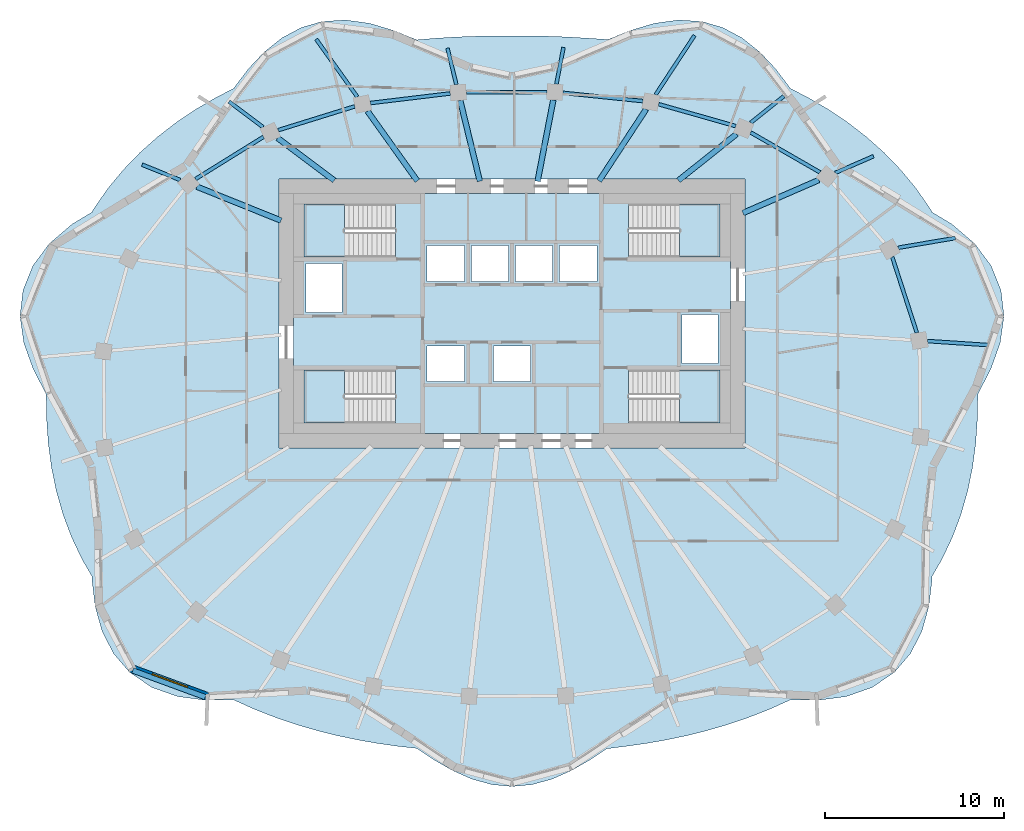
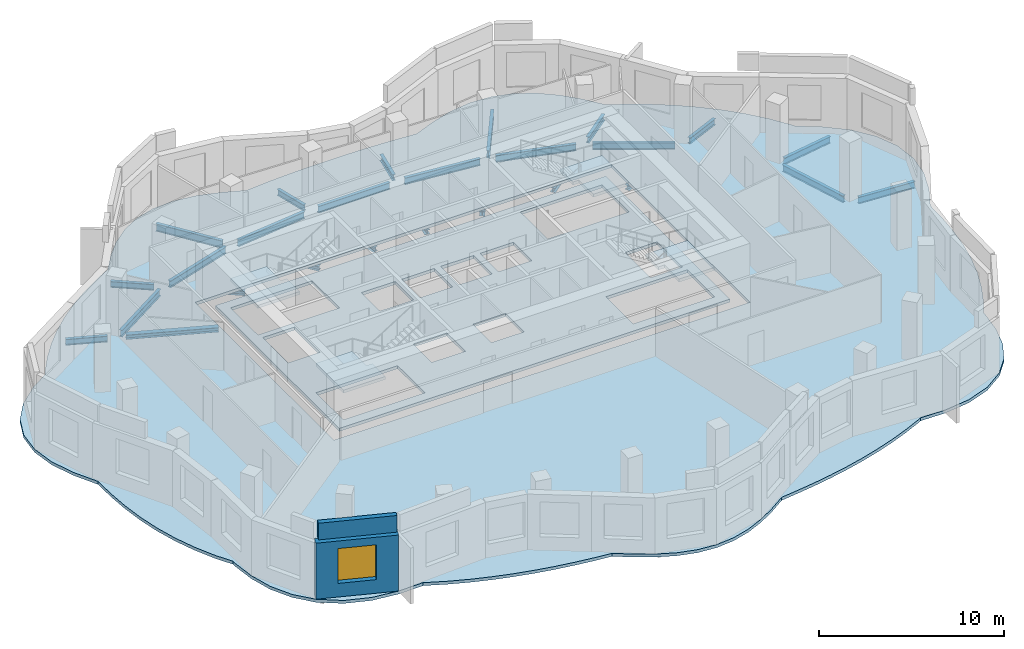
# One storey, part 2 of 9: 26 beams, 6 slabs, 2 walls, 1 window, 1 opening, 4 elements without a shape of their own.
"""IFC4 building model written with IfcOpenShell, lengths in metres."""

from ifc_helpers import new_model, si_unit, direction, frame, frame_2d, origin, origin_2d, place, context, subcontext, project, spatial, polyline, rectangle, i_section, outline, extrude, material, layer, layer_set, material_profile, profile_set, type_object, element, fill, aggregate, save


model = new_model("IFC4")

# Units and contexts
model_context = context("Model", 3, precision=1e-05, world=origin(), true_north=direction((0.0, 1.0)))
body_context = subcontext(model_context, "Body", "Model", "MODEL_VIEW")
ifc_project = project(units=[si_unit("LENGTHUNIT", "METRE"), si_unit("AREAUNIT", "SQUARE_METRE"), si_unit("VOLUMEUNIT", "CUBIC_METRE"), si_unit("PLANEANGLEUNIT", "RADIAN"), si_unit("MASSUNIT", "GRAM", prefix="KILO")], contexts=[model_context])

# Site, building, storey
site_placement = place(None, origin())
site = spatial("IfcSite", under=ifc_project, at=site_placement, CompositionType="ELEMENT")
building_placement = place(site_placement, origin())
building = spatial("IfcBuilding", under=site, at=building_placement, Name="Rubra Terraces Tower", CompositionType="ELEMENT")
storey_placement = place(building_placement, frame((0.0, 0.0, 268.800048828125)))
storey = spatial("IfcBuildingStorey", under=building, at=storey_placement, Name="L66", CompositionType="ELEMENT", Elevation=268.800048828125)

# Beams
ifc_material_1 = material(Name="Steel Q355B", Category="steel")
ifc_material_profile_1 = material_profile(ifc_material_1, i_section(OverallWidth=0.199951171875, OverallDepth=0.39990234375, WebThickness=0.008056640625, FlangeThickness=0.012939453125, at=origin_2d()), Name="HN 400x200x8x13")
ifc_profile_set_1 = profile_set([ifc_material_profile_1], Name="Steel Q355B")
beam_type_1 = type_object("IfcBeamType", Name="CANTILEVER BEAM HN 400x200x8x13", PredefinedType="BEAM", material=ifc_profile_set_1)
beam_1_placement = place(storey_placement, frame((18.047119140625, 12.35205078125, -0.400146484375), z_axis=(0.9169378766, 0.399029986914, 0.0), x_axis=(-0.399029986914, 0.9169378766, 0.0)))
element("IfcBeam", 1, at=beam_1_placement, inside=storey, type_object=beam_type_1, Name="beam-L66-cant-03", PredefinedType="BEAM", context=body_context, shape_type="SweptSolid", body=[
    extrude(i_section(OverallWidth=0.199951171875, OverallDepth=0.39990234375, WebThickness=0.008056640625, FlangeThickness=0.012939453125, at=origin_2d()), origin(), (0.0, 0.0, 1.0), 2.32080078125),
])
beam_2_placement = place(storey_placement, frame((13.326904296875, 15.152099609375, -0.400146484375), z_axis=(0.781341367024, 0.624103892134, 0.0), x_axis=(-0.624103892134, 0.781341367024, 0.0)))
element("IfcBeam", 2, at=beam_2_placement, inside=storey, type_object=beam_type_1, Name="beam-L66-cant-04", PredefinedType="BEAM", context=body_context, shape_type="SweptSolid", body=[
    extrude(i_section(OverallWidth=0.199951171875, OverallDepth=0.39990234375, WebThickness=0.008056640625, FlangeThickness=0.012939453125, at=origin_2d()), origin(), (0.0, 0.0, 1.0), 2.367919921875),
])
beam_3_placement = place(storey_placement, frame((2.47802734375, 17.30810546875, -0.400146484375), z_axis=(0.189927009637, 0.98179821298, 0.0), x_axis=(-0.98179821298, 0.189927009637, 0.0)))
element("IfcBeam", 3, at=beam_3_placement, inside=storey, type_object=beam_type_1, Name="beam-L66-cant-06", PredefinedType="BEAM", context=body_context, shape_type="SweptSolid", body=[
    extrude(i_section(OverallWidth=0.199951171875, OverallDepth=0.39990234375, WebThickness=0.008056640625, FlangeThickness=0.012939453125, at=origin_2d()), origin(), (0.0, 0.0, 1.0), 2.079833984375),
])
beam_4_placement = place(storey_placement, frame((-3.10693359375, 17.280029296875, -0.400146484375), z_axis=(-0.236187802389, 0.971707426133, 0.0), x_axis=(-0.971707426133, -0.236187802389, 0.0)))
element("IfcBeam", 4, at=beam_4_placement, inside=storey, type_object=beam_type_1, Name="beam-L66-cant-07", PredefinedType="BEAM", context=body_context, shape_type="SweptSolid", body=[
    extrude(i_section(OverallWidth=0.199951171875, OverallDepth=0.39990234375, WebThickness=0.008056640625, FlangeThickness=0.012939453125, at=origin_2d()), origin(), (0.0, 0.0, 1.0), 2.092041015625),
])
beam_5_placement = place(storey_placement, frame((-13.89794921875, 14.903076171875, -0.400146484375), z_axis=(-0.800420317928, 0.599439166762, 0.0), x_axis=(-0.599439166762, -0.800420317928, 0.0)))
element("IfcBeam", 5, at=beam_5_placement, inside=storey, type_object=beam_type_1, Name="beam-L66-cant-09", PredefinedType="BEAM", context=body_context, shape_type="SweptSolid", body=[
    extrude(i_section(OverallWidth=0.199951171875, OverallDepth=0.39990234375, WebThickness=0.008056640625, FlangeThickness=0.012939453125, at=origin_2d()), origin(), (0.0, 0.0, 1.0), 2.36865234375),
])
beam_6_placement = place(storey_placement, frame((-18.51708984375, 11.949951171875, -0.400146484375), z_axis=(-0.927608079655, 0.373554882927, 0.0), x_axis=(-0.373554882927, -0.927608079655, 0.0)))
element("IfcBeam", 6, at=beam_6_placement, inside=storey, type_object=beam_type_1, Name="beam-L66-cant-10", PredefinedType="BEAM", context=body_context, shape_type="SweptSolid", body=[
    extrude(i_section(OverallWidth=0.199951171875, OverallDepth=0.39990234375, WebThickness=0.008056640625, FlangeThickness=0.012939453125, at=origin_2d()), origin(), (0.0, 0.0, 1.0), 2.2939453125),
])
ifc_material_profile_2 = material_profile(ifc_material_1, i_section(OverallWidth=0.198974609375, OverallDepth=0.446044921875, WebThickness=0.008056640625, FlangeThickness=0.011962890625, at=origin_2d()), Name="HN 446x199x8x12")
ifc_profile_set_2 = profile_set([ifc_material_profile_2], Name="Steel Q355B")
beam_type_2 = type_object("IfcBeamType", Name="CANTILEVER BEAM HN 446x199x8x12", PredefinedType="BEAM", material=ifc_profile_set_2)
beam_7_placement = place(storey_placement, frame((23.195068359375, 2.9619140625, -0.423095703125), z_axis=(0.99781771155, -0.066028891532, 0.0), x_axis=(0.066028891532, 0.99781771155, 0.0)))
element("IfcBeam", 7, at=beam_7_placement, inside=storey, type_object=beam_type_2, Name="beam-L66-cant-01", PredefinedType="BEAM", context=body_context, shape_type="SweptSolid", body=[
    extrude(i_section(OverallWidth=0.198974609375, OverallDepth=0.446044921875, WebThickness=0.008056640625, FlangeThickness=0.011962890625, at=origin_2d()), origin(), (0.0, 0.0, 1.0), 3.4052734375),
])
beam_8_placement = place(storey_placement, frame((21.552001953125, 8.169921875, -0.423095703125), z_axis=(0.985786397417, 0.168003507901, 0.0), x_axis=(-0.168003507901, 0.985786397417, 0.0)))
element("IfcBeam", 8, at=beam_8_placement, inside=storey, type_object=beam_type_2, Name="beam-L66-cant-02", PredefinedType="BEAM", context=body_context, shape_type="SweptSolid", body=[
    extrude(i_section(OverallWidth=0.198974609375, OverallDepth=0.446044921875, WebThickness=0.008056640625, FlangeThickness=0.011962890625, at=origin_2d()), origin(), (0.0, 0.0, 1.0), 3.2392578125),
])
ifc_material_profile_3 = material_profile(ifc_material_1, i_section(OverallWidth=0.198974609375, OverallDepth=0.49609375, WebThickness=0.009033203125, FlangeThickness=0.013916015625, at=origin_2d()), Name="HN 496x199x9x14")
ifc_profile_set_3 = profile_set([ifc_material_profile_3], Name="Steel Q355B")
beam_type_3 = type_object("IfcBeamType", Name="CANTILEVER BEAM HN 496x199x9x14", PredefinedType="BEAM", material=ifc_profile_set_3)
beam_9_placement = place(storey_placement, frame((8.01806640625, 16.714111328125, -0.447998046875), z_axis=(0.548838682786, 0.835928286564, 0.0), x_axis=(-0.835928286564, 0.548838682786, 0.0)))
element("IfcBeam", 9, at=beam_9_placement, inside=storey, type_object=beam_type_3, Name="beam-L66-cant-05", PredefinedType="BEAM", context=body_context, shape_type="SweptSolid", body=[
    extrude(i_section(OverallWidth=0.198974609375, OverallDepth=0.49609375, WebThickness=0.009033203125, FlangeThickness=0.013916015625, at=origin_2d()), origin(), (0.0, 0.0, 1.0), 3.9501953125),
])
beam_10_placement = place(storey_placement, frame((-8.632080078125, 16.591064453125, -0.447998046875), z_axis=(-0.581004297943, 0.813900488863, 0.0), x_axis=(-0.813900488863, -0.581004297943, 0.0)))
element("IfcBeam", 10, at=beam_10_placement, inside=storey, type_object=beam_type_3, Name="beam-L66-cant-08", PredefinedType="BEAM", context=body_context, shape_type="SweptSolid", body=[
    extrude(i_section(OverallWidth=0.198974609375, OverallDepth=0.49609375, WebThickness=0.009033203125, FlangeThickness=0.013916015625, at=origin_2d()), origin(), (0.0, 0.0, 1.0), 3.949951171875),
])
ifc_material_profile_4 = material_profile(ifc_material_1, i_section(OverallWidth=0.304931640625, OverallDepth=0.300048828125, WebThickness=0.014892578125, FlangeThickness=0.014892578125, at=origin_2d()), Name="HW 300x305x15x15")
ifc_profile_set_4 = profile_set([ifc_material_profile_4], Name="Steel Q355B")
beam_type_4 = type_object("IfcBeamType", Name="FLOOR BEAM HW 300x305x15x15", PredefinedType="BEAM", material=ifc_profile_set_4)
beam_11_placement = place(storey_placement, frame((17.12109375, 11.949951171875, -0.35009765625), z_axis=(-0.916958146743, -0.398983404569, 0.0), x_axis=(0.398983404569, -0.916958146743, 0.0)))
element("IfcBeam", 11, at=beam_11_placement, inside=storey, type_object=beam_type_4, Name="beam-L66-floor-03", PredefinedType="BEAM", context=body_context, shape_type="SweptSolid", body=[
    extrude(i_section(OverallWidth=0.304931640625, OverallDepth=0.300048828125, WebThickness=0.014892578125, FlangeThickness=0.014892578125, at=origin_2d()), origin(), (0.0, 0.0, 1.0), 4.614501953125),
])
beam_12_placement = place(storey_placement, frame((12.527099609375, 14.511962890625, -0.35009765625), z_axis=(-0.781190597938, -0.624292599423, 0.0), x_axis=(0.624292599423, -0.781190597938, 0.0)))
element("IfcBeam", 12, at=beam_12_placement, inside=storey, type_object=beam_type_4, Name="beam-L66-floor-04", PredefinedType="BEAM", context=body_context, shape_type="SweptSolid", body=[
    extrude(i_section(OverallWidth=0.304931640625, OverallDepth=0.300048828125, WebThickness=0.014892578125, FlangeThickness=0.014892578125, at=origin_2d()), origin(), (0.0, 0.0, 1.0), 4.143798828125),
])
beam_13_placement = place(storey_placement, frame((7.48388671875, 15.89990234375, -0.35009765625), z_axis=(-0.548799087814, -0.835954281773, 0.0), x_axis=(0.835954281773, -0.548799087814, 0.0)))
element("IfcBeam", 13, at=beam_13_placement, inside=storey, type_object=beam_type_4, Name="beam-L66-floor-05", PredefinedType="BEAM", context=body_context, shape_type="SweptSolid", body=[
    extrude(i_section(OverallWidth=0.304931640625, OverallDepth=0.300048828125, WebThickness=0.014892578125, FlangeThickness=0.014892578125, at=origin_2d()), origin(), (0.0, 0.0, 1.0), 4.784912109375),
])
beam_14_placement = place(storey_placement, frame((2.305908203125, 16.416015625, -0.35009765625), z_axis=(-0.190104093884, -0.981763939798, 0.0), x_axis=(0.981763939798, -0.190104093884, 0.0)))
element("IfcBeam", 14, at=beam_14_placement, inside=storey, type_object=beam_type_4, Name="beam-L66-floor-06", PredefinedType="BEAM", context=body_context, shape_type="SweptSolid", body=[
    extrude(i_section(OverallWidth=0.304931640625, OverallDepth=0.300048828125, WebThickness=0.014892578125, FlangeThickness=0.014892578125, at=origin_2d()), origin(), (0.0, 0.0, 1.0), 4.6181640625),
])
beam_15_placement = place(storey_placement, frame((-2.89111328125, 16.39208984375, -0.35009765625), z_axis=(0.236229407797, -0.971697312383, 0.0), x_axis=(0.971697312383, 0.236229407797, 0.0)))
element("IfcBeam", 15, at=beam_15_placement, inside=storey, type_object=beam_type_4, Name="beam-L66-floor-07", PredefinedType="BEAM", context=body_context, shape_type="SweptSolid", body=[
    extrude(i_section(OverallWidth=0.304931640625, OverallDepth=0.300048828125, WebThickness=0.014892578125, FlangeThickness=0.014892578125, at=origin_2d()), origin(), (0.0, 0.0, 1.0), 4.640380859375),
])
beam_16_placement = place(storey_placement, frame((-8.06201171875, 15.79296875, -0.35009765625), z_axis=(0.580948286594, -0.813940469754, 0.0), x_axis=(0.813940469754, 0.580948286594, 0.0)))
element("IfcBeam", 16, at=beam_16_placement, inside=storey, type_object=beam_type_4, Name="beam-L66-floor-08", PredefinedType="BEAM", context=body_context, shape_type="SweptSolid", body=[
    extrude(i_section(OverallWidth=0.304931640625, OverallDepth=0.300048828125, WebThickness=0.014892578125, FlangeThickness=0.014892578125, at=origin_2d()), origin(), (0.0, 0.0, 1.0), 4.7802734375),
])
beam_17_placement = place(storey_placement, frame((-13.075927734375, 14.2890625, -0.35009765625), z_axis=(0.800431185592, -0.599424655092, 0.0), x_axis=(0.599424655092, 0.800431185592, 0.0)))
element("IfcBeam", 17, at=beam_17_placement, inside=storey, type_object=beam_type_4, Name="beam-L66-floor-09", PredefinedType="BEAM", context=body_context, shape_type="SweptSolid", body=[
    extrude(i_section(OverallWidth=0.304931640625, OverallDepth=0.300048828125, WebThickness=0.014892578125, FlangeThickness=0.014892578125, at=origin_2d()), origin(), (0.0, 0.0, 1.0), 3.93896484375),
])
beam_18_placement = place(storey_placement, frame((-17.5849609375, 11.575927734375, -0.35009765625), z_axis=(0.927692985207, -0.373343977047, 0.0), x_axis=(0.373343977047, 0.927692985207, 0.0)))
element("IfcBeam", 18, at=beam_18_placement, inside=storey, type_object=beam_type_4, Name="beam-L66-floor-10", PredefinedType="BEAM", context=body_context, shape_type="SweptSolid", body=[
    extrude(i_section(OverallWidth=0.304931640625, OverallDepth=0.300048828125, WebThickness=0.014892578125, FlangeThickness=0.014892578125, at=origin_2d()), origin(), (0.0, 0.0, 1.0), 5.06201171875),
])
ifc_material_profile_5 = material_profile(ifc_material_1, i_section(OverallWidth=0.198974609375, OverallDepth=0.446044921875, WebThickness=0.008056640625, FlangeThickness=0.011962890625, at=origin_2d()), Name="HN 446x199x8x12")
ifc_profile_set_5 = profile_set([ifc_material_profile_5], Name="Steel Q355B")
beam_type_5 = type_object("IfcBeamType", Name="SPANDREL BEAM HN 446x199x8x12", PredefinedType="SPANDREL", material=ifc_profile_set_5)
beam_19_placement = place(storey_placement, frame((22.593994140625, 3.426025390625, -0.423095703125), z_axis=(-0.308536942246, 0.951212360764, 0.0), x_axis=(-0.951212360764, -0.308536942246, 0.0)))
element("IfcBeam", 19, at=beam_19_placement, inside=storey, type_object=beam_type_5, Name="beam-L66-spandrel-01", PredefinedType="SPANDREL", context=body_context, shape_type="SweptSolid", body=[
    extrude(i_section(OverallWidth=0.198974609375, OverallDepth=0.446044921875, WebThickness=0.008056640625, FlangeThickness=0.011962890625, at=origin_2d()), origin(), (0.0, 0.0, 1.0), 4.44384765625),
])
beam_20_placement = place(storey_placement, frame((17.18798828125, 12.37890625, -0.423095703125), z_axis=(-0.866616005945, 0.498975648945, 0.0), x_axis=(-0.498975648945, -0.866616005945, 0.0)))
element("IfcBeam", 20, at=beam_20_placement, inside=storey, type_object=beam_type_5, Name="beam-L66-spandrel-03", PredefinedType="SPANDREL", context=body_context, shape_type="SweptSolid", body=[
    extrude(i_section(OverallWidth=0.198974609375, OverallDepth=0.446044921875, WebThickness=0.008056640625, FlangeThickness=0.011962890625, at=origin_2d()), origin(), (0.0, 0.0, 1.0), 4.463134765625),
])
beam_21_placement = place(storey_placement, frame((12.490966796875, 14.9560546875, -0.423095703125), z_axis=(-0.961713024643, 0.27405849418, 0.0), x_axis=(-0.27405849418, -0.961713024643, 0.0)))
element("IfcBeam", 21, at=beam_21_placement, inside=storey, type_object=beam_type_5, Name="beam-L66-spandrel-04", PredefinedType="SPANDREL", context=body_context, shape_type="SweptSolid", body=[
    extrude(i_section(OverallWidth=0.198974609375, OverallDepth=0.446044921875, WebThickness=0.008056640625, FlangeThickness=0.011962890625, at=origin_2d()), origin(), (0.0, 0.0, 1.0), 4.477294921875),
])
beam_22_placement = place(storey_placement, frame((7.302001953125, 16.35400390625, -0.423095703125), z_axis=(-0.994684107425, 0.102973425873, 0.0), x_axis=(-0.102973425873, -0.994684107425, 0.0)))
element("IfcBeam", 22, at=beam_22_placement, inside=storey, type_object=beam_type_5, Name="beam-L66-spandrel-05", PredefinedType="SPANDREL", context=body_context, shape_type="SweptSolid", body=[
    extrude(i_section(OverallWidth=0.198974609375, OverallDepth=0.446044921875, WebThickness=0.008056640625, FlangeThickness=0.011962890625, at=origin_2d()), origin(), (0.0, 0.0, 1.0), 4.48583984375),
])
beam_23_placement = place(storey_placement, frame((1.94091796875, 16.860107421875, -0.423095703125), z_axis=(-0.999987753188, -0.004949088244, 0.0), x_axis=(0.004949088244, -0.999987753188, 0.0)))
element("IfcBeam", 23, at=beam_23_placement, inside=storey, type_object=beam_type_5, Name="beam-L66-spandrel-06", PredefinedType="SPANDREL", context=body_context, shape_type="SweptSolid", body=[
    extrude(i_section(OverallWidth=0.198974609375, OverallDepth=0.446044921875, WebThickness=0.008056640625, FlangeThickness=0.011962890625, at=origin_2d()), origin(), (0.0, 0.0, 1.0), 4.489013671875),
])
beam_24_placement = place(storey_placement, frame((-3.447021484375, 16.781982421875, -0.423095703125), z_axis=(-0.992829862118, -0.119536040116, 0.0), x_axis=(0.119536040116, -0.992829862118, 0.0)))
element("IfcBeam", 24, at=beam_24_placement, inside=storey, type_object=beam_type_5, Name="beam-L66-spandrel-07", PredefinedType="SPANDREL", context=body_context, shape_type="SweptSolid", body=[
    extrude(i_section(OverallWidth=0.198974609375, OverallDepth=0.446044921875, WebThickness=0.008056640625, FlangeThickness=0.011962890625, at=origin_2d()), origin(), (0.0, 0.0, 1.0), 4.483154296875),
])
beam_25_placement = place(storey_placement, frame((-8.779052734375, 16.05810546875, -0.423095703125), z_axis=(-0.955035382264, -0.296491852541, 0.0), x_axis=(0.296491852541, -0.955035382264, 0.0)))
element("IfcBeam", 25, at=beam_25_placement, inside=storey, type_object=beam_type_5, Name="beam-L66-spandrel-08", PredefinedType="SPANDREL", context=body_context, shape_type="SweptSolid", body=[
    extrude(i_section(OverallWidth=0.198974609375, OverallDepth=0.446044921875, WebThickness=0.008056640625, FlangeThickness=0.011962890625, at=origin_2d()), origin(), (0.0, 0.0, 1.0), 4.47607421875),
])
beam_26_placement = place(storey_placement, frame((-13.8720703125, 14.35693359375, -0.423095703125), z_axis=(-0.849641857012, -0.527360137679, 0.0), x_axis=(0.527360137679, -0.849641857012, 0.0)))
element("IfcBeam", 26, at=beam_26_placement, inside=storey, type_object=beam_type_5, Name="beam-L66-spandrel-09", PredefinedType="SPANDREL", context=body_context, shape_type="SweptSolid", body=[
    extrude(i_section(OverallWidth=0.198974609375, OverallDepth=0.446044921875, WebThickness=0.008056640625, FlangeThickness=0.011962890625, at=origin_2d()), origin(), (0.0, 0.0, 1.0), 4.4619140625),
])

# Slab
ifc_material_2 = material(Name="Concrete C40", Category="concrete")
ifc_layer_1 = layer(ifc_material_2, 0.199951171875)
ifc_layer_set_1 = layer_set([ifc_layer_1], Name="Concrete C40")
slab_type_1 = type_object("IfcSlabType", Name="Core floor slab 200 concrete", PredefinedType="FLOOR", material=ifc_layer_set_1)
slab_1_placement = place(storey_placement, frame((0.0, 0.0, -0.199951171875)))
element("IfcSlab", 27, at=slab_1_placement, inside=storey, type_object=slab_type_1, Name="CORE FLOOR SLAB L66", PredefinedType="FLOOR", context=body_context, shape_type="SweptSolid", body=[
    extrude(outline(polyline([(-12.199951171875, -2.199951171875), (-12.199951171875, 11.199951171875), (12.199951171875, 11.199951171875), (12.199951171875, -2.199951171875), (-12.199951171875, -2.199951171875)]), holes=[polyline([(11.597900390625, 1.347900390625), (6.501953125, 1.347900390625), (6.501953125, -1.597900390625), (11.597900390625, -1.597900390625), (11.597900390625, 1.347900390625)]), polyline([(11.597900390625, 7.652099609375), (11.597900390625, 10.597900390625), (6.501953125, 10.597900390625), (6.501953125, 7.652099609375), (11.597900390625, 7.652099609375)]), polyline([(9.5, 1.699951171875), (11.5, 1.699951171875), (11.5, 4.449951171875), (9.5, 4.449951171875), (9.5, 1.699951171875)]), polyline([(4.75, 6.300048828125), (4.75, 8.300048828125), (2.64990234375, 8.300048828125), (2.64990234375, 6.300048828125), (4.75, 6.300048828125)]), polyline([(2.25, 8.300048828125), (0.199951171875, 8.300048828125), (0.199951171875, 6.300048828125), (2.25, 6.300048828125), (2.25, 8.300048828125)]), polyline([(1.02490234375, 0.699951171875), (1.02490234375, 2.699951171875), (-1.02490234375, 2.699951171875), (-1.02490234375, 0.699951171875), (1.02490234375, 0.699951171875)]), polyline([(-0.199951171875, 6.300048828125), (-0.199951171875, 8.300048828125), (-2.25, 8.300048828125), (-2.25, 6.300048828125), (-0.199951171875, 6.300048828125)]), polyline([(-4.75, 8.300048828125), (-4.75, 6.300048828125), (-2.64990234375, 6.300048828125), (-2.64990234375, 8.300048828125), (-4.75, 8.300048828125)]), polyline([(-2.64990234375, 0.699951171875), (-2.64990234375, 2.699951171875), (-4.75, 2.699951171875), (-4.75, 0.699951171875), (-2.64990234375, 0.699951171875)]), polyline([(-11.597900390625, -1.597900390625), (-6.501953125, -1.597900390625), (-6.501953125, 1.347900390625), (-11.597900390625, 1.347900390625), (-11.597900390625, -1.597900390625)]), polyline([(-11.597900390625, 10.597900390625), (-11.597900390625, 7.652099609375), (-6.501953125, 7.652099609375), (-6.501953125, 10.597900390625), (-11.597900390625, 10.597900390625)]), polyline([(-9.5, 4.550048828125), (-9.5, 7.300048828125), (-11.5, 7.300048828125), (-11.5, 4.550048828125), (-9.5, 4.550048828125)])]), origin(), (0.0, 0.0, 1.0), 0.199951171875),
])

# Stair, slab
stair_type = type_object("IfcStairType", Name="Core stair 1400", PredefinedType="HALF_TURN_STAIR", material=ifc_material_2)
stair_1_placement = place(storey_placement, origin())
stair_1 = element("IfcStair", 28, at=stair_1_placement, inside=storey, type_object=stair_type, Name="L66 Exit stair S1", PredefinedType="HALF_TURN_STAIR")
ifc_layer_2 = layer(ifc_material_2, 0.199951171875)
ifc_layer_set_2 = layer_set([ifc_layer_2], Name="Concrete C40")
slab_type_2 = type_object("IfcSlabType", Name="Core stair landing 200", PredefinedType="LANDING", material=ifc_layer_set_2)
slab_2_placement = place(storey_placement, frame((0.0, 0.0, 1.75)))
slab_2 = element("IfcSlab", 29, at=slab_2_placement, type_object=slab_type_2, Name="S1 landing 1", PredefinedType="LANDING", context=body_context, shape_type="SweptSolid", body=[
    extrude(outline(polyline([(-8.97998046875, -0.199951171875), (-8.97998046875, -1.60009765625), (-9.360107421875, -1.60009765625), (-9.3798828125, -1.60009765625), (-11.60009765625, -1.60009765625), (-11.60009765625, 1.35009765625), (-9.3798828125, 1.35009765625), (-9.35791015625, 1.35009765625), (-9.35791015625, -0.050048828125), (-9.360107421875, -0.050048828125), (-9.360107421875, -0.199951171875), (-8.97998046875, -0.199951171875)])), origin(), (0.0, 0.0, 1.0), 0.199951171875),
])
aggregate(stair_1, [slab_2])

stair_2_placement = place(storey_placement, origin())
stair_2 = element("IfcStair", 30, at=stair_2_placement, inside=storey, type_object=stair_type, Name="L66 Exit stair S2", PredefinedType="HALF_TURN_STAIR")
slab_3_placement = place(storey_placement, frame((0.0, 0.0, 1.75)))
slab_3 = element("IfcSlab", 31, at=slab_3_placement, type_object=slab_type_2, Name="S2 landing 1", PredefinedType="LANDING", context=body_context, shape_type="SweptSolid", body=[
    extrude(outline(polyline([(-8.97998046875, 9.050048828125), (-8.97998046875, 7.64990234375), (-9.3798828125, 7.64990234375), (-11.60009765625, 7.64990234375), (-11.60009765625, 10.60009765625), (-9.3798828125, 10.60009765625), (-9.360107421875, 10.60009765625), (-9.35791015625, 10.60009765625), (-9.35791015625, 9.199951171875), (-9.360107421875, 9.199951171875), (-9.360107421875, 9.050048828125), (-8.97998046875, 9.050048828125)])), origin(), (0.0, 0.0, 1.0), 0.199951171875),
])
aggregate(stair_2, [slab_3])

stair_3_placement = place(storey_placement, origin())
stair_3 = element("IfcStair", 32, at=stair_3_placement, inside=storey, type_object=stair_type, Name="L66 Exit stair S3", PredefinedType="HALF_TURN_STAIR")
slab_4_placement = place(storey_placement, frame((0.0, 0.0, 1.75)))
slab_4 = element("IfcSlab", 33, at=slab_4_placement, type_object=slab_type_2, Name="S3 landing 1", PredefinedType="LANDING", context=body_context, shape_type="SweptSolid", body=[
    extrude(outline(polyline([(9.360107421875, 9.050048828125), (9.360107421875, 9.199951171875), (8.97998046875, 9.199951171875), (8.97998046875, 10.60009765625), (9.360107421875, 10.60009765625), (9.3798828125, 10.60009765625), (11.60009765625, 10.60009765625), (11.60009765625, 7.64990234375), (9.3798828125, 7.64990234375), (9.35791015625, 7.64990234375), (9.35791015625, 9.050048828125), (9.360107421875, 9.050048828125)])), origin(), (0.0, 0.0, 1.0), 0.199951171875),
])
aggregate(stair_3, [slab_4])

stair_4_placement = place(storey_placement, origin())
stair_4 = element("IfcStair", 34, at=stair_4_placement, inside=storey, type_object=stair_type, Name="L66 Exit stair S4", PredefinedType="HALF_TURN_STAIR")
slab_5_placement = place(storey_placement, frame((0.0, 0.0, 1.75)))
slab_5 = element("IfcSlab", 35, at=slab_5_placement, type_object=slab_type_2, Name="S4 landing 1", PredefinedType="LANDING", context=body_context, shape_type="SweptSolid", body=[
    extrude(outline(polyline([(9.360107421875, -0.199951171875), (9.360107421875, -0.050048828125), (8.97998046875, -0.050048828125), (8.97998046875, 1.35009765625), (9.360107421875, 1.35009765625), (9.3798828125, 1.35009765625), (11.60009765625, 1.35009765625), (11.60009765625, -1.60009765625), (9.3798828125, -1.60009765625), (9.360107421875, -1.60009765625), (9.35791015625, -1.60009765625), (9.35791015625, -0.199951171875), (9.360107421875, -0.199951171875)])), origin(), (0.0, 0.0, 1.0), 0.199951171875),
])
aggregate(stair_4, [slab_5])

# Slab
ifc_layer_3 = layer(ifc_material_2, 0.199951171875)
ifc_layer_set_3 = layer_set([ifc_layer_3], Name="Concrete C40")
slab_type_3 = type_object("IfcSlabType", Name="FLOOR SLAB 200 COMPOSITE", PredefinedType="FLOOR", material=ifc_layer_set_3)
slab_6_placement = place(storey_placement, frame((0.0, 0.0, -0.199951171875)))
element("IfcSlab", 36, at=slab_6_placement, inside=storey, type_object=slab_type_3, Name="FLOOR SLAB L66", PredefinedType="FLOOR", context=body_context, shape_type="SweptSolid", body=[
    extrude(outline(polyline([(-6.385009765625, -19.652099609375), (-5.31005859375, -19.77294921875), (-4.319091796875, -20.43505859375), (-3.326904296875, -21.00390625), (-2.22705078125, -21.489013671875), (-1.113037109375, -21.7958984375), (0.0, -21.89990234375), (1.113037109375, -21.7958984375), (2.22705078125, -21.489013671875), (3.326904296875, -21.00390625), (4.319091796875, -20.43505859375), (5.281982421875, -19.79296875), (6.385009765625, -19.652099609375), (7.501953125, -19.492919921875), (8.612060546875, -19.299072265625), (9.716064453125, -19.068115234375), (10.866943359375, -18.782958984375), (12.007080078125, -18.451904296875), (13.131103515625, -18.073974609375), (14.2939453125, -17.6220703125), (15.43408203125, -17.113037109375), (15.544921875, -17.055908203125), (15.388916015625, -17.052978515625), (17.083984375, -17.083984375), (18.64892578125, -16.881103515625), (20.10205078125, -16.368896484375), (21.35400390625, -15.513916015625), (22.241943359375, -14.47509765625), (22.87890625, -13.22998046875), (23.264892578125, -11.85400390625), (23.43994140625, -10.39111328125), (23.443115234375, -10.1708984375), (24.001953125, -9.208984375), (24.5810546875, -7.987060546875), (25.06005859375, -6.712890625), (25.43408203125, -5.405029296875), (25.70703125, -4.072021484375), (25.885009765625, -2.720947265625), (25.97705078125, -1.362060546875), (26.0, 0.0), (26.718017578125, 1.386962890625), (27.2451171875, 2.844970703125), (27.458984375, 4.34912109375), (27.291015625, 5.80810546875), (26.73388671875, 7.178955078125), (25.8291015625, 8.39208984375), (24.552001953125, 9.488037109375), (23.1201171875, 10.35205078125), (23.455078125, 10.14990234375), (23.322021484375, 10.37890625), (22.548095703125, 11.489013671875), (21.697021484375, 12.51806640625), (20.77001953125, 13.47802734375), (19.77294921875, 14.365966796875), (18.7451171875, 15.160888671875), (17.666015625, 15.886962890625), (16.5439453125, 16.5439453125), (15.535888671875, 17.06103515625), (15.462890625, 17.169921875), (14.7041015625, 18.1640625), (13.85595703125, 19.071044921875), (12.85888671875, 19.8720703125), (11.76708984375, 20.4580078125), (10.596923828125, 20.799072265625), (9.279052734375, 20.881103515625), (7.93505859375, 20.694091796875), (6.593994140625, 20.29296875), (5.35302734375, 19.7919921875), (4.235107421875, 19.865966796875), (3.156982421875, 19.931884765625), (2.10498046875, 19.972900390625), (1.052978515625, 19.9951171875), (0.0, 20.0), (-1.052978515625, 19.9951171875), (-2.10498046875, 19.972900390625), (-3.156982421875, 19.931884765625), (-4.235107421875, 19.865966796875), (-5.31103515625, 19.77294921875), (-6.593994140625, 20.29296875), (-7.93505859375, 20.694091796875), (-9.279052734375, 20.881103515625), (-10.596923828125, 20.799072265625), (-11.76708984375, 20.4580078125), (-12.85888671875, 19.8720703125), (-13.85595703125, 19.071044921875), (-14.7041015625, 18.1640625), (-15.462890625, 17.169921875), (-15.535888671875, 17.06103515625), (-16.5439453125, 16.5439453125), (-17.666015625, 15.886962890625), (-18.7451171875, 15.160888671875), (-19.77294921875, 14.365966796875), (-20.77001953125, 13.47802734375), (-21.697021484375, 12.51806640625), (-22.548095703125, 11.489013671875), (-23.322021484375, 10.37890625), (-23.455078125, 10.14990234375), (-23.1201171875, 10.35205078125), (-24.552001953125, 9.488037109375), (-25.8291015625, 8.39208984375), (-26.73388671875, 7.178955078125), (-27.291015625, 5.80810546875), (-27.458984375, 4.34912109375), (-27.2451171875, 2.844970703125), (-26.718017578125, 1.386962890625), (-26.0, 0.0), (-25.97705078125, -1.362060546875), (-25.885009765625, -2.720947265625), (-25.70703125, -4.072021484375), (-25.43408203125, -5.405029296875), (-25.06005859375, -6.712890625), (-24.5810546875, -7.987060546875), (-24.001953125, -9.208984375), (-23.443115234375, -10.1708984375), (-23.43994140625, -10.39111328125), (-23.264892578125, -11.85400390625), (-22.87890625, -13.22998046875), (-22.241943359375, -14.47509765625), (-21.35400390625, -15.513916015625), (-20.10205078125, -16.368896484375), (-18.64892578125, -16.881103515625), (-17.083984375, -17.083984375), (-15.388916015625, -17.052978515625), (-15.544921875, -17.055908203125), (-15.43408203125, -17.113037109375), (-14.2939453125, -17.6220703125), (-13.131103515625, -18.073974609375), (-12.007080078125, -18.451904296875), (-10.866943359375, -18.782958984375), (-9.716064453125, -19.068115234375), (-8.612060546875, -19.299072265625), (-7.501953125, -19.492919921875), (-6.385009765625, -19.652099609375)]), holes=[polyline([(13.0, 12.0), (13.0, -3.0), (-13.0, -3.0), (-13.0, 12.0), (13.0, 12.0)])]), origin(), (0.0, 0.0, 1.0), 0.199951171875),
])

# Wall, opening, window
ifc_material_3 = material(Name="Brick masonry red-brown", Category="masonry")
ifc_layer_4 = layer(ifc_material_3, 0.449951171875)
ifc_layer_set_4 = layer_set([ifc_layer_4], Name="Brick masonry red-brown")
wall_type_1 = type_object("IfcWallType", Name="Brick facade wall 450", PredefinedType="SOLIDWALL", material=ifc_layer_set_4)
wall_1_placement = place(storey_placement, frame((-21.2763671875, -15.302734375, 0.0), z_axis=(0.0, 0.0, 1.0), x_axis=(0.938563728531, -0.345105965591, 0.0)))
wall_1 = element("IfcWall", 37, at=wall_1_placement, inside=storey, type_object=wall_type_1, Name="Facade wall L66 bay 25", PredefinedType="SOLIDWALL", context=body_context, shape_type="SweptSolid", body=[
    extrude(rectangle(XDim=4.549560546875, YDim=0.449951171875, at=frame_2d((2.27490234375, 0.0))), origin(), (0.0, 0.0, 1.0), 3.699951171875),
])
opening_placement = place(wall_1_placement, frame((1.224609375, 0.0, 0.89990234375)))
opening = element("IfcOpeningElement", 38, at=opening_placement, cuts=wall_1, Name="Opening W1B", PredefinedType="OPENING", context=body_context, shape_type="SweptSolid", body=[
    extrude(rectangle(XDim=2.10009765625, YDim=2.300048828125, at=frame_2d((1.050048828125, 1.14990234375))), frame((0.0, 0.23486328125, 0.0), z_axis=(0.0, -1.0, 0.0), x_axis=(1.0, 0.0, 0.0)), (0.0, 0.0, 1.0), 0.469970703125),
])
ifc_material_4 = material(Name="Clear glass in aluminium frame", Category="aluminium")
window_type = type_object("IfcWindowType", Name="Fixed deep-set window tall storey 2100 x 2300", PartitioningType="SINGLE_PANEL", PredefinedType="WINDOW", material=ifc_material_4)
window_placement = place(opening_placement, origin())
window = element("IfcWindow", 39, at=window_placement, inside=storey, type_object=window_type, Name="Window L66 bay 25", OverallHeight=2.300048828125, OverallWidth=2.10009765625, PartitioningType="SINGLE_PANEL", PredefinedType="WINDOW", context=body_context, shape_type="SweptSolid", body=[
    extrude(rectangle(XDim=2.10009765625, YDim=2.300048828125, at=frame_2d((1.050048828125, 1.14990234375))), frame((0.0, 0.135009765625, 0.0), z_axis=(0.0, -1.0, 0.0), x_axis=(1.0, 0.0, 0.0)), (0.0, 0.0, 1.0), 0.06005859375),
])
fill(opening, window)

# Wall
ifc_layer_5 = layer(ifc_material_3, 0.300048828125)
ifc_layer_set_5 = layer_set([ifc_layer_5], Name="Brick masonry red-brown")
wall_type_2 = type_object("IfcWallType", Name="Brick parapet 300", PredefinedType="PARAPET", material=ifc_layer_set_5)
wall_2_placement = place(storey_placement, frame((-21.165283203125, -15.423583984375, 3.89990234375), z_axis=(0.0, 0.0, 1.0), x_axis=(0.93857396844, -0.345078115455, 0.0)))
element("IfcWall", 40, at=wall_2_placement, inside=storey, type_object=wall_type_2, Name="Parapet L66 bay 25", PredefinedType="PARAPET", context=body_context, shape_type="SweptSolid", body=[
    extrude(rectangle(XDim=4.3115234375, YDim=0.300048828125, at=frame_2d((2.15576171875, 0.0))), origin(), (0.0, 0.0, 1.0), 1.10009765625),
])

save(model, "model.ifc")
